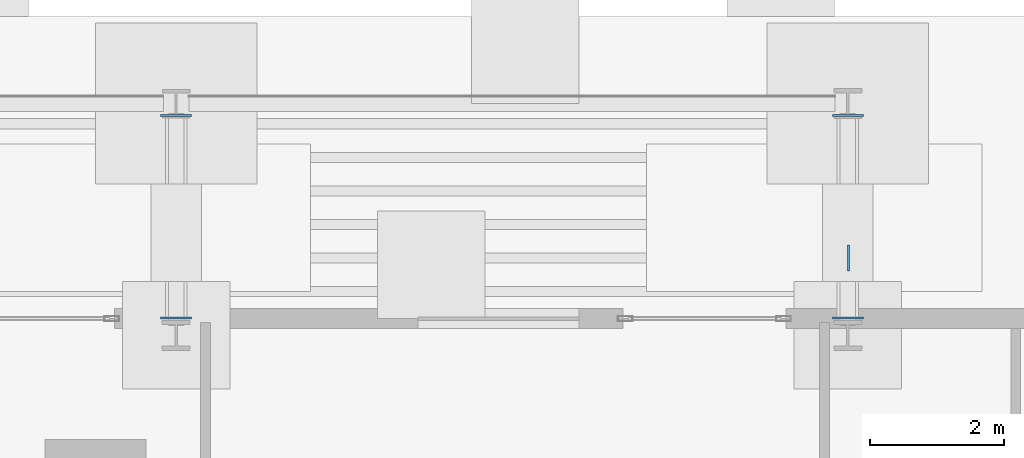
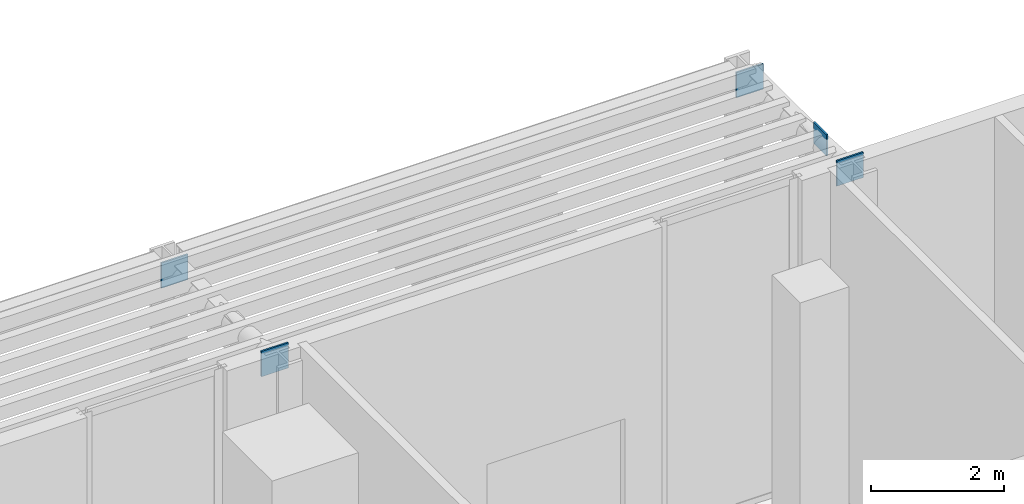
# One storey, part 27 of 39: 5 plates.
"""IFC4 building model written with IfcOpenShell, lengths in metres."""

from ifc_helpers import new_model, si_unit, direction, frame, origin, origin_2d, place, context, subcontext, project, spatial, rectangle, extrude, material, layer, layer_set, type_object, element, save


model = new_model("IFC4")

# Units and contexts
model_context = context("Model", 3, precision=1e-05, world=origin(), true_north=direction((0.0, 1.0)))
body_context = subcontext(model_context, "Body", "Model", "MODEL_VIEW")
ifc_project = project(units=[si_unit("LENGTHUNIT", "METRE"), si_unit("AREAUNIT", "SQUARE_METRE"), si_unit("VOLUMEUNIT", "CUBIC_METRE"), si_unit("PLANEANGLEUNIT", "RADIAN"), si_unit("MASSUNIT", "GRAM", prefix="KILO")], contexts=[model_context])

# Site, building, storey
site_placement = place(None, origin())
site = spatial("IfcSite", under=ifc_project, at=site_placement, CompositionType="ELEMENT")
building_placement = place(site_placement, origin())
building = spatial("IfcBuilding", under=site, at=building_placement, Name="Zuhayl Quay Hotel", CompositionType="ELEMENT")
storey_placement = place(building_placement, origin())
storey = spatial("IfcBuildingStorey", under=building, at=storey_placement, Name="L00", CompositionType="ELEMENT", Elevation=0.0)

# Plates
ifc_material = material(Name="Steel ASTM A572 Grade 50", Category="steel")
ifc_layer = layer(ifc_material, 0.030029296875, Name="Steel ASTM A572 Grade 50", Category="steel")
ifc_layer_set = layer_set([ifc_layer], Name="Steel ASTM A572 Grade 50")
plate_type = type_object("IfcPlateType", Name="TP_CAP_PLATE_30", PredefinedType="USERDEFINED", material=ifc_layer_set)
for number, where, z_axis, x_axis, name in (
    (1, (15.0, 25.008056640625, 5.31884765625), (0.0, 0.0, 1.0), (0.0, -1.0, 0.0), "Truss Node Cap Assembly KN2"),
    (2, (15.0, 28.02197265625, 5.1171875), (0.0, 0.0, 1.0), (0.0, 1.0, 0.0), "Truss Node Cap Assembly KN2"),
    (3, (25.0, 25.008056640625, 5.31884765625), (0.0, 0.0, 1.0), (0.0, -1.0, 0.0), "Truss Node Cap Assembly KN2"),
    (4, (25.0, 28.02197265625, 5.1171875), (0.0, 0.0, 1.0), (0.0, 1.0, 0.0), "Truss Node Cap Assembly KN2"),
):
    element("IfcPlate", number, at=place(storey_placement, frame(where, z_axis=z_axis, x_axis=x_axis)), inside=storey, type_object=plate_type, Name=name, ObjectType="GUSSET PLATE", PredefinedType="USERDEFINED", context=body_context, shape_type="SweptSolid", body=[
        extrude(rectangle(XDim=0.030029296875, YDim=0.4638671875, at=origin_2d()), origin(), (0.0, 0.0, 1.0), 0.4638671875),
    ])
plate_placement = place(storey_placement, frame((25.011962890625, 25.89990234375, 5.365234375), z_axis=(0.0, 0.0, 1.0), x_axis=(1.0, 0.0, 0.0)))
element("IfcPlate", 5, at=plate_placement, inside=storey, type_object=plate_type, Name="Truss Node Cap Assembly KN2", ObjectType="GUSSET PLATE", PredefinedType="USERDEFINED", context=body_context, shape_type="SweptSolid", body=[
    extrude(rectangle(XDim=0.030029296875, YDim=0.389892578125, at=origin_2d()), origin(), (0.0, 0.0, 1.0), 0.389892578125),
])

save(model, "model.ifc")
